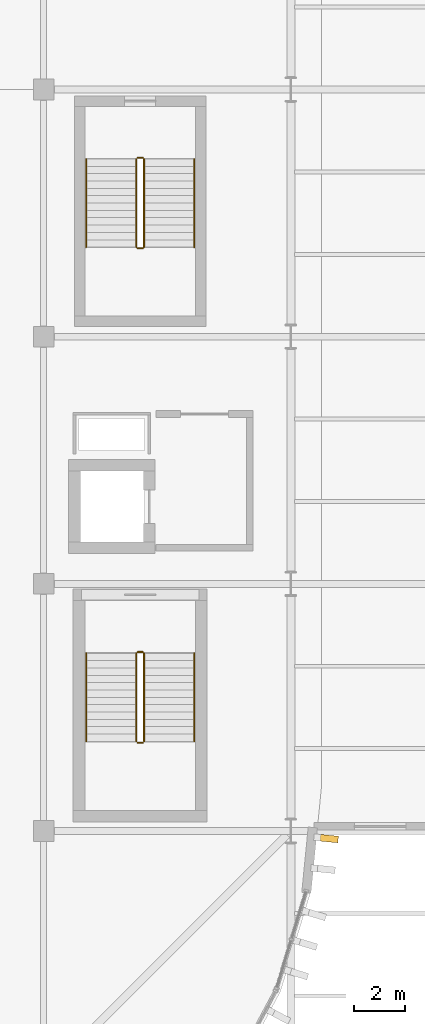
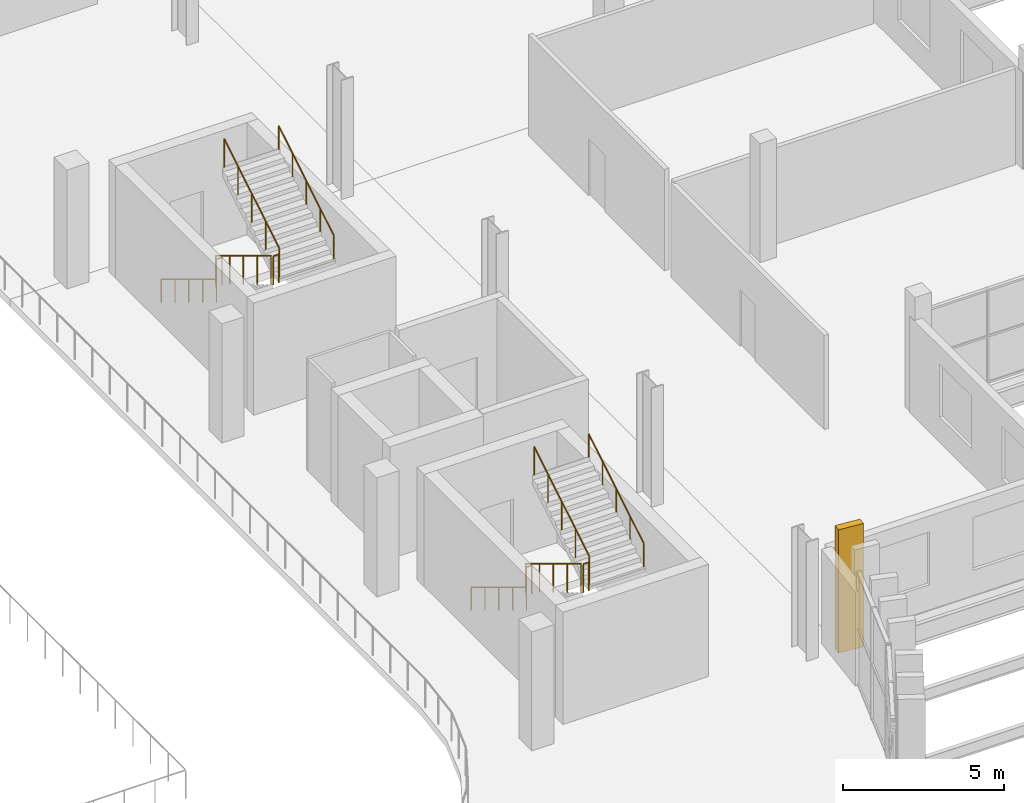
# One storey, part 71 of 75: 12 railings, 1 covering.
"""IFC4 building model written with IfcOpenShell, lengths in metres."""

from ifc_helpers import new_model, si_unit, direction, frame, origin, origin_2d, place, context, subcontext, project, spatial, rectangle, circle, extrude, material, material_profile, profile_set, type_object, element, save


model = new_model("IFC4")

# Units and contexts
model_context = context("Model", 3, precision=1e-05, world=origin(), true_north=direction((0.0, 1.0)))
body_context = subcontext(model_context, "Body", "Model", "MODEL_VIEW")
ifc_project = project(units=[si_unit("LENGTHUNIT", "METRE"), si_unit("AREAUNIT", "SQUARE_METRE"), si_unit("VOLUMEUNIT", "CUBIC_METRE"), si_unit("PLANEANGLEUNIT", "RADIAN"), si_unit("MASSUNIT", "GRAM", prefix="KILO")], contexts=[model_context])

# Site, building, storey
site_placement = place(None, origin())
site = spatial("IfcSite", under=ifc_project, at=site_placement, CompositionType="ELEMENT")
building_placement = place(site_placement, origin())
building = spatial("IfcBuilding", under=site, at=building_placement, Name="Caelomonte Colonnade Arena", CompositionType="ELEMENT")
storey_placement = place(building_placement, frame((0.0, 0.0, 14.10009765625)))
storey = spatial("IfcBuildingStorey", under=building, at=storey_placement, Name="L03", CompositionType="ELEMENT", Elevation=14.10009765625)

# Covering
ifc_material_1 = material(Name="Precast travertine cladding", Category="masonry")
ifc_material_profile = material_profile(ifc_material_1, rectangle(XDim=0.260009765625, YDim=0.85009765625, at=origin_2d()), Name="FIN260X850")
ifc_profile_set = profile_set([ifc_material_profile], Name="Precast travertine cladding")
covering_type = type_object("IfcCoveringType", Name="ENV-FN-SHAFT", PredefinedType="CLADDING", material=ifc_profile_set)
covering_placement = place(storey_placement, frame((164.6171875, 38.1103515625, -0.16015625), z_axis=(0.0, 0.0, 1.0), x_axis=(-0.098015403404, -0.995184897743, 0.0)))
element("IfcCovering", 1, at=covering_placement, inside=storey, type_object=covering_type, Name="V1 L03 classical travertine vertical fin 23", PredefinedType="CLADDING", context=body_context, shape_type="SweptSolid", body=[
    extrude(rectangle(XDim=0.260009765625, YDim=0.85009765625, at=origin_2d()), origin(), (0.0, 0.0, 1.0), 4.66015625),
])

# Railings
ifc_material_2 = material(Name="Painted galvanized steel stair guard", Category="steel")
railing_type_1 = type_object("IfcRailingType", Name="INT-RL-GRD", PredefinedType="GUARDRAIL", material=ifc_material_2)
railing_1_placement = place(storey_placement, frame((157.199951171875, 45.300048828125, 0.173095703125)))
element("IfcRailing", 2, at=railing_1_placement, inside=storey, type_object=railing_type_1, Name="L03 ST-02 stair guard 1", PredefinedType="GUARDRAIL", context=body_context, shape_type="SweptSolid", body=[
    extrude(circle(Radius=0.02392578125, at=origin_2d()), frame((0.0, 0.0, 1.076171875), z_axis=(0.0, -0.854745945586, 0.519046595696), x_axis=(1.0, 0.0, 0.0)), (0.0, 0.0, 1.0), 4.00146484375),
    extrude(circle(Radius=0.02099609375, at=origin_2d()), origin(), (0.0, 0.0, 1.0), 1.048095703125),
    extrude(circle(Radius=0.02099609375, at=origin_2d()), frame((0.0, -0.85498046875, 0.519287109375)), (0.0, 0.0, 1.0), 1.048095703125),
    extrude(circle(Radius=0.02099609375, at=origin_2d()), frame((0.0, -1.7099609375, 1.03857421875)), (0.0, 0.0, 1.0), 1.048095703125),
    extrude(circle(Radius=0.02099609375, at=origin_2d()), frame((0.0, -2.565185546875, 1.5576171875)), (0.0, 0.0, 1.0), 1.048095703125),
    extrude(circle(Radius=0.02099609375, at=origin_2d()), frame((0.0, -3.420166015625, 2.076904296875)), (0.0, 0.0, 1.0), 1.048095703125),
])
railing_2_placement = place(storey_placement, frame((157.25, 41.830078125, 2.25)))
element("IfcRailing", 3, at=railing_2_placement, inside=storey, type_object=railing_type_1, Name="L03 ST-02 stair guard 2", PredefinedType="GUARDRAIL", context=body_context, shape_type="SweptSolid", body=[
    extrude(circle(Radius=0.02392578125, at=origin_2d()), frame((0.0, 0.0, 1.076171875), z_axis=(1.0, 0.0, 0.0), x_axis=(0.0, 1.0, 0.0)), (0.0, 0.0, 1.0), 0.199951171875),
    extrude(circle(Radius=0.02099609375, at=origin_2d()), origin(), (0.0, 0.0, 1.0), 1.048095703125),
    extrude(circle(Radius=0.02099609375, at=origin_2d()), frame((0.199951171875, 0.0, 0.0)), (0.0, 0.0, 1.0), 1.048095703125),
])
railing_3_placement = place(storey_placement, frame((157.5, 41.8798828125, 2.423095703125)))
element("IfcRailing", 4, at=railing_3_placement, inside=storey, type_object=railing_type_1, Name="L03 ST-02 stair guard 3", PredefinedType="GUARDRAIL", context=body_context, shape_type="SweptSolid", body=[
    extrude(circle(Radius=0.02392578125, at=origin_2d()), frame((0.0, 0.0, 1.076171875), z_axis=(0.0, 0.854745945586, 0.519046595696), x_axis=(-1.0, 0.0, 0.0)), (0.0, 0.0, 1.0), 4.00146484375),
    extrude(circle(Radius=0.02099609375, at=origin_2d()), origin(), (0.0, 0.0, 1.0), 1.048095703125),
    extrude(circle(Radius=0.02099609375, at=origin_2d()), frame((0.0, 0.85498046875, 0.519287109375)), (0.0, 0.0, 1.0), 1.048095703125),
    extrude(circle(Radius=0.02099609375, at=origin_2d()), frame((0.0, 1.7099609375, 1.03857421875)), (0.0, 0.0, 1.0), 1.048095703125),
    extrude(circle(Radius=0.02099609375, at=origin_2d()), frame((0.0, 2.565185546875, 1.5576171875)), (0.0, 0.0, 1.0), 1.048095703125),
    extrude(circle(Radius=0.02099609375, at=origin_2d()), frame((0.0, 3.420166015625, 2.076904296875)), (0.0, 0.0, 1.0), 1.048095703125),
])
railing_4_placement = place(storey_placement, frame((157.25, 45.35009765625, 0.0)))
element("IfcRailing", 5, at=railing_4_placement, inside=storey, type_object=railing_type_1, Name="L03 ST-02 stair guard 4", PredefinedType="GUARDRAIL", context=body_context, shape_type="SweptSolid", body=[
    extrude(circle(Radius=0.02392578125, at=origin_2d()), frame((0.0, 0.0, 1.076171875), z_axis=(1.0, 0.0, 0.0), x_axis=(0.0, 1.0, 0.0)), (0.0, 0.0, 1.0), 0.199951171875),
    extrude(circle(Radius=0.02099609375, at=origin_2d()), origin(), (0.0, 0.0, 1.0), 1.048095703125),
    extrude(circle(Radius=0.02099609375, at=origin_2d()), frame((0.199951171875, 0.0, 0.0)), (0.0, 0.0, 1.0), 1.048095703125),
])
railing_5_placement = place(storey_placement, frame((157.199951171875, 64.5, 0.173095703125)))
element("IfcRailing", 6, at=railing_5_placement, inside=storey, type_object=railing_type_1, Name="L03 ST-10 stair guard 1", PredefinedType="GUARDRAIL", context=body_context, shape_type="SweptSolid", body=[
    extrude(circle(Radius=0.02392578125, at=origin_2d()), frame((0.0, 0.0, 1.076171875), z_axis=(0.0, -0.854729506542, 0.519073665916), x_axis=(1.0, 0.0, 0.0)), (0.0, 0.0, 1.0), 4.001220703125),
    extrude(circle(Radius=0.02099609375, at=origin_2d()), origin(), (0.0, 0.0, 1.0), 1.048095703125),
    extrude(circle(Radius=0.02099609375, at=origin_2d()), frame((0.0, -0.85498046875, 0.519287109375)), (0.0, 0.0, 1.0), 1.048095703125),
    extrude(circle(Radius=0.02099609375, at=origin_2d()), frame((0.0, -1.7099609375, 1.03857421875)), (0.0, 0.0, 1.0), 1.048095703125),
    extrude(circle(Radius=0.02099609375, at=origin_2d()), frame((0.0, -2.56494140625, 1.5576171875)), (0.0, 0.0, 1.0), 1.048095703125),
    extrude(circle(Radius=0.02099609375, at=origin_2d()), frame((0.0, -3.419921875, 2.076904296875)), (0.0, 0.0, 1.0), 1.048095703125),
])
railing_6_placement = place(storey_placement, frame((157.25, 61.030029296875, 2.25)))
element("IfcRailing", 7, at=railing_6_placement, inside=storey, type_object=railing_type_1, Name="L03 ST-10 stair guard 2", PredefinedType="GUARDRAIL", context=body_context, shape_type="SweptSolid", body=[
    extrude(circle(Radius=0.02392578125, at=origin_2d()), frame((0.0, 0.0, 1.076171875), z_axis=(1.0, 0.0, 0.0), x_axis=(0.0, 1.0, 0.0)), (0.0, 0.0, 1.0), 0.199951171875),
    extrude(circle(Radius=0.02099609375, at=origin_2d()), origin(), (0.0, 0.0, 1.0), 1.048095703125),
    extrude(circle(Radius=0.02099609375, at=origin_2d()), frame((0.199951171875, 0.0, 0.0)), (0.0, 0.0, 1.0), 1.048095703125),
])
railing_7_placement = place(storey_placement, frame((157.5, 61.080078125, 2.423095703125)))
element("IfcRailing", 8, at=railing_7_placement, inside=storey, type_object=railing_type_1, Name="L03 ST-10 stair guard 3", PredefinedType="GUARDRAIL", context=body_context, shape_type="SweptSolid", body=[
    extrude(circle(Radius=0.02392578125, at=origin_2d()), frame((0.0, 0.0, 1.076171875), z_axis=(0.0, 0.854729506542, 0.519073665916), x_axis=(-1.0, 0.0, 0.0)), (0.0, 0.0, 1.0), 4.001220703125),
    extrude(circle(Radius=0.02099609375, at=origin_2d()), origin(), (0.0, 0.0, 1.0), 1.048095703125),
    extrude(circle(Radius=0.02099609375, at=origin_2d()), frame((0.0, 0.85498046875, 0.519287109375)), (0.0, 0.0, 1.0), 1.048095703125),
    extrude(circle(Radius=0.02099609375, at=origin_2d()), frame((0.0, 1.7099609375, 1.03857421875)), (0.0, 0.0, 1.0), 1.048095703125),
    extrude(circle(Radius=0.02099609375, at=origin_2d()), frame((0.0, 2.56494140625, 1.5576171875)), (0.0, 0.0, 1.0), 1.048095703125),
    extrude(circle(Radius=0.02099609375, at=origin_2d()), frame((0.0, 3.419921875, 2.076904296875)), (0.0, 0.0, 1.0), 1.048095703125),
])
railing_8_placement = place(storey_placement, frame((157.25, 64.550048828125, 0.0)))
element("IfcRailing", 9, at=railing_8_placement, inside=storey, type_object=railing_type_1, Name="L03 ST-10 stair guard 4", PredefinedType="GUARDRAIL", context=body_context, shape_type="SweptSolid", body=[
    extrude(circle(Radius=0.02392578125, at=origin_2d()), frame((0.0, 0.0, 1.076171875), z_axis=(1.0, 0.0, 0.0), x_axis=(0.0, 1.0, 0.0)), (0.0, 0.0, 1.0), 0.199951171875),
    extrude(circle(Radius=0.02099609375, at=origin_2d()), origin(), (0.0, 0.0, 1.0), 1.048095703125),
    extrude(circle(Radius=0.02099609375, at=origin_2d()), frame((0.199951171875, 0.0, 0.0)), (0.0, 0.0, 1.0), 1.048095703125),
])
ifc_material_3 = material(Name="Brushed stainless steel stair handrail", Category="steel")
railing_type_2 = type_object("IfcRailingType", Name="INT-RL-HR", PredefinedType="HANDRAIL", material=ifc_material_3)
railing_9_placement = place(storey_placement, frame((155.25, 45.300048828125, 0.173095703125)))
element("IfcRailing", 10, at=railing_9_placement, inside=storey, type_object=railing_type_2, Name="L03 ST-02 stair handrail 1", PredefinedType="HANDRAIL", context=body_context, shape_type="SweptSolid", body=[
    extrude(circle(Radius=0.02392578125, at=origin_2d()), frame((0.0, 0.0, 0.8759765625), z_axis=(0.0, -0.854745945586, 0.519046595696), x_axis=(1.0, 0.0, 0.0)), (0.0, 0.0, 1.0), 4.00146484375),
    extrude(circle(Radius=0.02099609375, at=origin_2d()), origin(), (0.0, 0.0, 1.0), 0.847900390625),
    extrude(circle(Radius=0.02099609375, at=origin_2d()), frame((0.0, -0.85498046875, 0.519287109375)), (0.0, 0.0, 1.0), 0.847900390625),
    extrude(circle(Radius=0.02099609375, at=origin_2d()), frame((0.0, -1.7099609375, 1.03857421875)), (0.0, 0.0, 1.0), 0.847900390625),
    extrude(circle(Radius=0.02099609375, at=origin_2d()), frame((0.0, -2.565185546875, 1.5576171875)), (0.0, 0.0, 1.0), 0.847900390625),
    extrude(circle(Radius=0.02099609375, at=origin_2d()), frame((0.0, -3.420166015625, 2.076904296875)), (0.0, 0.0, 1.0), 0.847900390625),
])
railing_10_placement = place(storey_placement, frame((159.449951171875, 41.8798828125, 2.423095703125)))
element("IfcRailing", 11, at=railing_10_placement, inside=storey, type_object=railing_type_2, Name="L03 ST-02 stair handrail 2", PredefinedType="HANDRAIL", context=body_context, shape_type="SweptSolid", body=[
    extrude(circle(Radius=0.02392578125, at=origin_2d()), frame((0.0, 0.0, 0.8759765625), z_axis=(0.0, 0.854745945586, 0.519046595696), x_axis=(-1.0, 0.0, 0.0)), (0.0, 0.0, 1.0), 4.00146484375),
    extrude(circle(Radius=0.02099609375, at=origin_2d()), origin(), (0.0, 0.0, 1.0), 0.847900390625),
    extrude(circle(Radius=0.02099609375, at=origin_2d()), frame((0.0, 0.85498046875, 0.519287109375)), (0.0, 0.0, 1.0), 0.847900390625),
    extrude(circle(Radius=0.02099609375, at=origin_2d()), frame((0.0, 1.7099609375, 1.03857421875)), (0.0, 0.0, 1.0), 0.847900390625),
    extrude(circle(Radius=0.02099609375, at=origin_2d()), frame((0.0, 2.565185546875, 1.5576171875)), (0.0, 0.0, 1.0), 0.847900390625),
    extrude(circle(Radius=0.02099609375, at=origin_2d()), frame((0.0, 3.420166015625, 2.076904296875)), (0.0, 0.0, 1.0), 0.847900390625),
])
railing_11_placement = place(storey_placement, frame((155.25, 64.5, 0.173095703125)))
element("IfcRailing", 12, at=railing_11_placement, inside=storey, type_object=railing_type_2, Name="L03 ST-10 stair handrail 1", PredefinedType="HANDRAIL", context=body_context, shape_type="SweptSolid", body=[
    extrude(circle(Radius=0.02392578125, at=origin_2d()), frame((0.0, 0.0, 0.8759765625), z_axis=(0.0, -0.854729506542, 0.519073665916), x_axis=(1.0, 0.0, 0.0)), (0.0, 0.0, 1.0), 4.001220703125),
    extrude(circle(Radius=0.02099609375, at=origin_2d()), origin(), (0.0, 0.0, 1.0), 0.847900390625),
    extrude(circle(Radius=0.02099609375, at=origin_2d()), frame((0.0, -0.85498046875, 0.519287109375)), (0.0, 0.0, 1.0), 0.847900390625),
    extrude(circle(Radius=0.02099609375, at=origin_2d()), frame((0.0, -1.7099609375, 1.03857421875)), (0.0, 0.0, 1.0), 0.847900390625),
    extrude(circle(Radius=0.02099609375, at=origin_2d()), frame((0.0, -2.56494140625, 1.5576171875)), (0.0, 0.0, 1.0), 0.847900390625),
    extrude(circle(Radius=0.02099609375, at=origin_2d()), frame((0.0, -3.419921875, 2.076904296875)), (0.0, 0.0, 1.0), 0.847900390625),
])
railing_12_placement = place(storey_placement, frame((159.449951171875, 61.080078125, 2.423095703125)))
element("IfcRailing", 13, at=railing_12_placement, inside=storey, type_object=railing_type_2, Name="L03 ST-10 stair handrail 2", PredefinedType="HANDRAIL", context=body_context, shape_type="SweptSolid", body=[
    extrude(circle(Radius=0.02392578125, at=origin_2d()), frame((0.0, 0.0, 0.8759765625), z_axis=(0.0, 0.854729506542, 0.519073665916), x_axis=(-1.0, 0.0, 0.0)), (0.0, 0.0, 1.0), 4.001220703125),
    extrude(circle(Radius=0.02099609375, at=origin_2d()), origin(), (0.0, 0.0, 1.0), 0.847900390625),
    extrude(circle(Radius=0.02099609375, at=origin_2d()), frame((0.0, 0.85498046875, 0.519287109375)), (0.0, 0.0, 1.0), 0.847900390625),
    extrude(circle(Radius=0.02099609375, at=origin_2d()), frame((0.0, 1.7099609375, 1.03857421875)), (0.0, 0.0, 1.0), 0.847900390625),
    extrude(circle(Radius=0.02099609375, at=origin_2d()), frame((0.0, 2.56494140625, 1.5576171875)), (0.0, 0.0, 1.0), 0.847900390625),
    extrude(circle(Radius=0.02099609375, at=origin_2d()), frame((0.0, 3.419921875, 2.076904296875)), (0.0, 0.0, 1.0), 0.847900390625),
])

save(model, "model.ifc")
